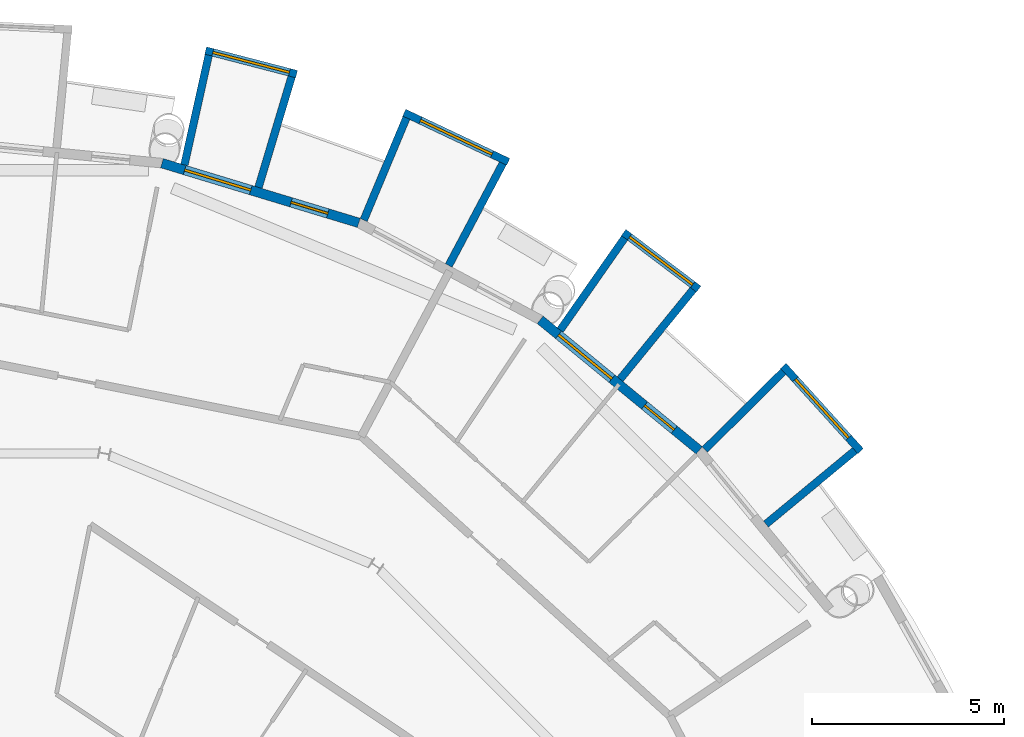
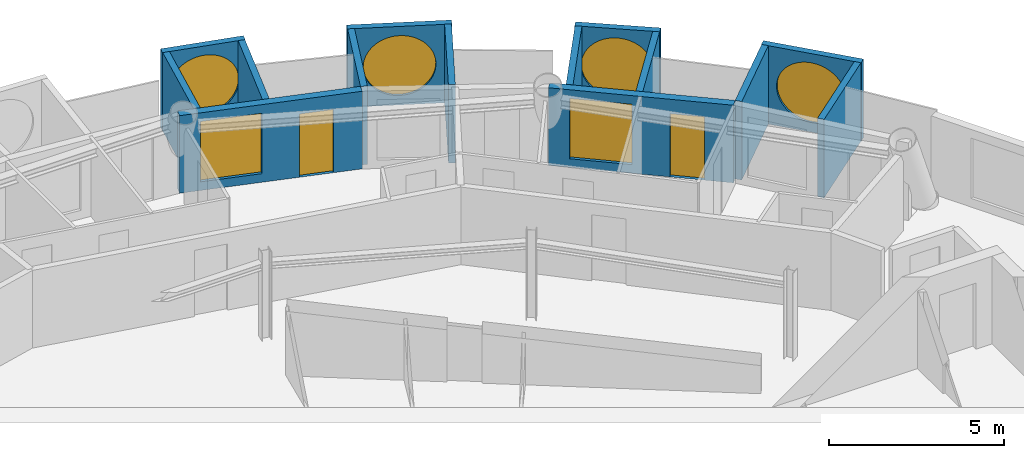
# One storey, part 24 of 28: 14 walls, 6 windows, 2 doors, 8 openings.
"""IFC4 building model written with IfcOpenShell, lengths in metres."""

from ifc_helpers import new_model, si_unit, direction, frame, frame_2d, origin, place, context, subcontext, project, spatial, rectangle, circle, extrude, material, layer, layer_set, type_object, element, fill, save


model = new_model("IFC4")

# Units and contexts
model_context = context("Model", 3, precision=1e-05, world=origin(), true_north=direction((0.0, 1.0)))
body_context = subcontext(model_context, "Body", "Model", "MODEL_VIEW")
ifc_project = project(units=[si_unit("LENGTHUNIT", "METRE"), si_unit("AREAUNIT", "SQUARE_METRE"), si_unit("VOLUMEUNIT", "CUBIC_METRE"), si_unit("PLANEANGLEUNIT", "RADIAN"), si_unit("MASSUNIT", "GRAM", prefix="KILO")], contexts=[model_context])

# Site, building, storey
site_placement = place(None, origin())
site = spatial("IfcSite", under=ifc_project, at=site_placement, CompositionType="ELEMENT")
building_placement = place(site_placement, origin())
building = spatial("IfcBuilding", under=site, at=building_placement, Name="Maasbend Ring Residences", CompositionType="ELEMENT")
storey_placement = place(building_placement, frame((0.0, 0.0, 231.0)))
storey = spatial("IfcBuildingStorey", under=building, at=storey_placement, Name="L66", CompositionType="ELEMENT", Elevation=231.0)

# Wall, opening, window
ifc_material_1 = material(Name="Pale anodised aluminium panel", Category="aluminium")
ifc_layer_1 = layer(ifc_material_1, 0.199951171875)
ifc_layer_set_1 = layer_set([ifc_layer_1], Name="EW-BOX")
wall_type_1 = type_object("IfcWallType", Name="EW-BOX", PredefinedType="SOLIDWALL", material=ifc_layer_set_1)
wall_1_placement = place(storey_placement, frame((23.5029296875, 19.281982421875, -0.030029296875), z_axis=(0.0, 0.0, 1.0), x_axis=(-0.671506829416, 0.740998365753, 0.0)))
wall_1 = element("IfcWall", 1, at=wall_1_placement, inside=storey, type_object=wall_type_1, Name="Box front N02", PredefinedType="SOLIDWALL", context=body_context, shape_type="SweptSolid", body=[
    extrude(rectangle(XDim=2.9931640625, YDim=0.199951171875, at=frame_2d((1.49658203125, 0.0))), origin(), (0.0, 0.0, 1.0), 2.72998046875),
])
opening_1_placement = place(wall_1_placement, frame((0.45654296875, 0.0, 0.330078125)))
opening_1 = element("IfcOpeningElement", 2, at=opening_1_placement, cuts=wall_1, Name="Opening W-RD", PredefinedType="OPENING", context=body_context, shape_type="SweptSolid", body=[
    extrude(circle(Radius=1.0400390625, at=frame_2d((1.0400390625, 1.0400390625))), frame((0.0, 0.10986328125, 0.0), z_axis=(0.0, -1.0, 0.0), x_axis=(1.0, 0.0, 0.0)), (0.0, 0.0, 1.0), 0.219970703125),
])
ifc_material_2 = material(Name="Aluminium and clear glass", Category="aluminium")
window_type_1 = type_object("IfcWindowType", Name="W-RD", PartitioningType="SINGLE_PANEL", PredefinedType="WINDOW", material=ifc_material_2)
window_1_placement = place(opening_1_placement, origin())
window_1 = element("IfcWindow", 3, at=window_1_placement, inside=storey, type_object=window_type_1, Name="Round window N02", OverallHeight=2.080078125, OverallWidth=2.080078125, PartitioningType="SINGLE_PANEL", PredefinedType="WINDOW", context=body_context, shape_type="SweptSolid", body=[
    extrude(circle(Radius=1.0400390625, at=frame_2d((1.0400390625, 1.0400390625))), frame((0.0, 0.030029296875, 0.0), z_axis=(0.0, -1.0, 0.0), x_axis=(1.0, 0.0, 0.0)), (0.0, 0.0, 1.0), 0.06005859375),
])
fill(opening_1, window_1)

# Walls
wall_2_placement = place(storey_placement, frame((21.041015625, 17.384033203125, -0.030029296875), z_axis=(0.0, 0.0, 1.0), x_axis=(0.770784861449, 0.63709551667, 0.0)))
element("IfcWall", 4, at=wall_2_placement, inside=storey, type_object=wall_type_1, Name="Box side wall N02 left", PredefinedType="SOLIDWALL", context=body_context, shape_type="SweptSolid", body=[
    extrude(rectangle(XDim=3.005859375, YDim=0.199951171875, at=frame_2d((1.5029296875, 0.0))), origin(), (0.0, 0.0, 1.0), 2.72998046875),
])
wall_3_placement = place(storey_placement, frame((19.449951171875, 19.322998046875, -0.030029296875), z_axis=(0.0, 0.0, 1.0), x_axis=(0.709727076896, 0.704476739375, 0.0)))
element("IfcWall", 5, at=wall_3_placement, inside=storey, type_object=wall_type_1, Name="Box side wall N02 right", PredefinedType="SOLIDWALL", context=body_context, shape_type="SweptSolid", body=[
    extrude(rectangle(XDim=2.883056640625, YDim=0.199951171875, at=frame_2d((1.44140625, 0.0))), origin(), (0.0, 0.0, 1.0), 2.72998046875),
])

# Wall, opening, window
wall_4_placement = place(storey_placement, frame((19.2890625, 23.4970703125, -0.030029296875), z_axis=(0.0, 0.0, 1.0), x_axis=(-0.797887588059, 0.602806268067, 0.0)))
wall_4 = element("IfcWall", 6, at=wall_4_placement, inside=storey, type_object=wall_type_1, Name="Box front N04", PredefinedType="SOLIDWALL", context=body_context, shape_type="SweptSolid", body=[
    extrude(rectangle(XDim=2.446533203125, YDim=0.199951171875, at=frame_2d((1.22314453125, 0.0))), origin(), (0.0, 0.0, 1.0), 2.72998046875),
])
opening_2_placement = place(wall_4_placement, frame((0.182861328125, 0.0, 0.330078125)))
opening_2 = element("IfcOpeningElement", 7, at=opening_2_placement, cuts=wall_4, Name="Opening W-RD", PredefinedType="OPENING", context=body_context, shape_type="SweptSolid", body=[
    extrude(circle(Radius=1.0400390625, at=frame_2d((1.0400390625, 1.0400390625))), frame((0.0, 0.10986328125, 0.0), z_axis=(0.0, -1.0, 0.0), x_axis=(1.0, 0.0, 0.0)), (0.0, 0.0, 1.0), 0.219970703125),
])
window_2_placement = place(opening_2_placement, origin())
window_2 = element("IfcWindow", 8, at=window_2_placement, inside=storey, type_object=window_type_1, Name="Round window N04", OverallHeight=2.080078125, OverallWidth=2.080078125, PartitioningType="SINGLE_PANEL", PredefinedType="WINDOW", context=body_context, shape_type="SweptSolid", body=[
    extrude(circle(Radius=1.0400390625, at=frame_2d((1.0400390625, 1.0400390625))), frame((0.0, 0.030029296875, 0.0), z_axis=(0.0, -1.0, 0.0), x_axis=(1.0, 0.0, 0.0)), (0.0, 0.0, 1.0), 0.06005859375),
])
fill(opening_2, window_2)

# Walls
wall_5_placement = place(storey_placement, frame((17.24609375, 21.155029296875, -0.030029296875), z_axis=(0.0, 0.0, 1.0), x_axis=(0.631741648902, 0.775179004516, 0.0)))
element("IfcWall", 9, at=wall_5_placement, inside=storey, type_object=wall_type_1, Name="Box side wall N04 left", PredefinedType="SOLIDWALL", context=body_context, shape_type="SweptSolid", body=[
    extrude(rectangle(XDim=3.005859375, YDim=0.199951171875, at=frame_2d((1.5029296875, 0.0))), origin(), (0.0, 0.0, 1.0), 2.72998046875),
])
wall_6_placement = place(storey_placement, frame((15.68798828125, 22.43310546875, -0.030029296875), z_axis=(0.0, 0.0, 1.0), x_axis=(0.573260687834, 0.819373043115, 0.0)))
element("IfcWall", 10, at=wall_6_placement, inside=storey, type_object=wall_type_1, Name="Box side wall N04 right", PredefinedType="SOLIDWALL", context=body_context, shape_type="SweptSolid", body=[
    extrude(rectangle(XDim=2.92529296875, YDim=0.199951171875, at=frame_2d((1.462646484375, 0.0))), origin(), (0.0, 0.0, 1.0), 2.72998046875),
])

# Wall, opening, window
wall_7_placement = place(storey_placement, frame((14.3349609375, 26.80810546875, -0.030029296875), z_axis=(0.0, 0.0, 1.0), x_axis=(-0.904000060331, 0.427532327342, 0.0)))
wall_7 = element("IfcWall", 11, at=wall_7_placement, inside=storey, type_object=wall_type_1, Name="Box front N06", PredefinedType="SOLIDWALL", context=body_context, shape_type="SweptSolid", body=[
    extrude(rectangle(XDim=2.993408203125, YDim=0.199951171875, at=frame_2d((1.49658203125, 0.0))), origin(), (0.0, 0.0, 1.0), 2.72998046875),
])
opening_3_placement = place(wall_7_placement, frame((0.45654296875, 0.0, 0.330078125)))
opening_3 = element("IfcOpeningElement", 12, at=opening_3_placement, cuts=wall_7, Name="Opening W-RD", PredefinedType="OPENING", context=body_context, shape_type="SweptSolid", body=[
    extrude(circle(Radius=1.0400390625, at=frame_2d((1.0400390625, 1.0400390625))), frame((0.0, 0.10986328125, 0.0), z_axis=(0.0, -1.0, 0.0), x_axis=(1.0, 0.0, 0.0)), (0.0, 0.0, 1.0), 0.219970703125),
])
window_3_placement = place(opening_3_placement, origin())
window_3 = element("IfcWindow", 13, at=window_3_placement, inside=storey, type_object=window_type_1, Name="Round window N06", OverallHeight=2.080078125, OverallWidth=2.080078125, PartitioningType="SINGLE_PANEL", PredefinedType="WINDOW", context=body_context, shape_type="SweptSolid", body=[
    extrude(circle(Radius=1.0400390625, at=frame_2d((1.0400390625, 1.0400390625))), frame((0.0, 0.030029296875, 0.0), z_axis=(0.0, -1.0, 0.0), x_axis=(1.0, 0.0, 0.0)), (0.0, 0.0, 1.0), 0.06005859375),
])
fill(opening_3, window_3)

# Walls
wall_8_placement = place(storey_placement, frame((12.787109375, 24.113037109375, -0.030029296875), z_axis=(0.0, 0.0, 1.0), x_axis=(0.468365282436, 0.883534924159, 0.0)))
element("IfcWall", 14, at=wall_8_placement, inside=storey, type_object=wall_type_1, Name="Box side wall N06 left", PredefinedType="SOLIDWALL", context=body_context, shape_type="SweptSolid", body=[
    extrude(rectangle(XDim=3.006103515625, YDim=0.199951171875, at=frame_2d((1.5029296875, 0.0))), origin(), (0.0, 0.0, 1.0), 2.72998046875),
])
wall_9_placement = place(storey_placement, frame((10.574951171875, 25.294921875, -0.030029296875), z_axis=(0.0, 0.0, 1.0), x_axis=(0.385697364644, 0.922625353492, 0.0)))
element("IfcWall", 15, at=wall_9_placement, inside=storey, type_object=wall_type_1, Name="Box side wall N06 right", PredefinedType="SOLIDWALL", context=body_context, shape_type="SweptSolid", body=[
    extrude(rectangle(XDim=2.88330078125, YDim=0.199951171875, at=frame_2d((1.441650390625, 0.0))), origin(), (0.0, 0.0, 1.0), 2.72998046875),
])

# Wall, opening, window
wall_10_placement = place(storey_placement, frame((8.8291015625, 29.090087890625, -0.030029296875), z_axis=(0.0, 0.0, 1.0), x_axis=(-0.96789536872, 0.251353446784, 0.0)))
wall_10 = element("IfcWall", 16, at=wall_10_placement, inside=storey, type_object=wall_type_1, Name="Box front N08", PredefinedType="SOLIDWALL", context=body_context, shape_type="SweptSolid", body=[
    extrude(rectangle(XDim=2.44677734375, YDim=0.199951171875, at=frame_2d((1.223388671875, 0.0))), origin(), (0.0, 0.0, 1.0), 2.72998046875),
])
opening_4_placement = place(wall_10_placement, frame((0.182861328125, 0.0, 0.330078125)))
opening_4 = element("IfcOpeningElement", 17, at=opening_4_placement, cuts=wall_10, Name="Opening W-RD", PredefinedType="OPENING", context=body_context, shape_type="SweptSolid", body=[
    extrude(circle(Radius=1.0400390625, at=frame_2d((1.0400390625, 1.0400390625))), frame((0.0, 0.10986328125, 0.0), z_axis=(0.0, -1.0, 0.0), x_axis=(1.0, 0.0, 0.0)), (0.0, 0.0, 1.0), 0.219970703125),
])
window_4_placement = place(opening_4_placement, origin())
window_4 = element("IfcWindow", 18, at=window_4_placement, inside=storey, type_object=window_type_1, Name="Round window N08", OverallHeight=2.080078125, OverallWidth=2.080078125, PartitioningType="SINGLE_PANEL", PredefinedType="WINDOW", context=body_context, shape_type="SweptSolid", body=[
    extrude(circle(Radius=1.0400390625, at=frame_2d((1.0400390625, 1.0400390625))), frame((0.0, 0.030029296875, 0.0), z_axis=(0.0, -1.0, 0.0), x_axis=(1.0, 0.0, 0.0)), (0.0, 0.0, 1.0), 0.06005859375),
])
fill(opening_4, window_4)

# Walls
wall_11_placement = place(storey_placement, frame((7.8369140625, 26.14404296875, -0.030029296875), z_axis=(0.0, 0.0, 1.0), x_axis=(0.287064767992, 0.957911174889, 0.0)))
element("IfcWall", 19, at=wall_11_placement, inside=storey, type_object=wall_type_1, Name="Box side wall N08 left", PredefinedType="SOLIDWALL", context=body_context, shape_type="SweptSolid", body=[
    extrude(rectangle(XDim=3.00634765625, YDim=0.199951171875, at=frame_2d((1.503173828125, 0.0))), origin(), (0.0, 0.0, 1.0), 2.72998046875),
])
wall_12_placement = place(storey_placement, frame((5.908935546875, 26.72900390625, -0.030029296875), z_axis=(0.0, 0.0, 1.0), x_axis=(0.216409053917, 0.976302781612, 0.0)))
element("IfcWall", 20, at=wall_12_placement, inside=storey, type_object=wall_type_1, Name="Box side wall N08 right", PredefinedType="SOLIDWALL", context=body_context, shape_type="SweptSolid", body=[
    extrude(rectangle(XDim=2.92529296875, YDim=0.199951171875, at=frame_2d((1.462646484375, 0.0))), origin(), (0.0, 0.0, 1.0), 2.72998046875),
])

# Wall, openings, door, window
ifc_material_3 = material(Name="Aluminium clad insulated panel", Category="aluminium")
ifc_layer_2 = layer(ifc_material_3, 0.25)
ifc_layer_set_2 = layer_set([ifc_layer_2], Name="EW-GL")
wall_type_2 = type_object("IfcWallType", Name="EW-GL", PredefinedType="SOLIDWALL", material=ifc_layer_set_2)
wall_13_placement = place(storey_placement, frame((19.303955078125, 19.303955078125, 0.0), z_axis=(0.0, 0.0, 1.0), x_axis=(-0.773019449054, 0.634382322723, 0.0)))
wall_13 = element("IfcWall", 21, at=wall_13_placement, inside=storey, type_object=wall_type_2, Name="External wall N02", PredefinedType="SOLIDWALL", context=body_context, shape_type="SweptSolid", body=[
    extrude(rectangle(XDim=5.351806640625, YDim=0.25, at=frame_2d((2.67578125, 0.0))), origin(), (0.0, 0.0, 1.0), 2.699951171875),
])
opening_5_placement = place(wall_13_placement, frame((0.841064453125, 0.0, 0.0)))
opening_5 = element("IfcOpeningElement", 22, at=opening_5_placement, cuts=wall_13, Name="Opening D-LG", PredefinedType="OPENING", context=body_context, shape_type="SweptSolid", body=[
    extrude(rectangle(XDim=1.0, YDim=2.199951171875, at=frame_2d((0.5, 1.10009765625))), frame((0.0, 0.135009765625, 0.0), z_axis=(0.0, -1.0, 0.0), x_axis=(1.0, 0.0, 0.0)), (0.0, 0.0, 1.0), 0.27001953125),
])
opening_6_placement = place(wall_13_placement, frame((2.935791015625, 0.0, 0.300048828125)))
opening_6 = element("IfcOpeningElement", 23, at=opening_6_placement, cuts=wall_13, Name="Opening W-BX", PredefinedType="OPENING", context=body_context, shape_type="SweptSolid", body=[
    extrude(rectangle(XDim=1.800048828125, YDim=2.10009765625, at=frame_2d((0.89990234375, 1.050048828125))), frame((0.0, 0.135009765625, 0.0), z_axis=(0.0, -1.0, 0.0), x_axis=(1.0, 0.0, 0.0)), (0.0, 0.0, 1.0), 0.27001953125),
])
ifc_material_4 = material(Name="Aluminium and clear glass", Category="aluminium")
door_type = type_object("IfcDoorType", Name="D-LG", OperationType="SINGLE_SWING_LEFT", PredefinedType="DOOR", material=ifc_material_4)
door_1_placement = place(opening_5_placement, origin())
door_1 = element("IfcDoor", 24, at=door_1_placement, inside=storey, type_object=door_type, Name="Loggia door N03", OperationType="SINGLE_SWING_LEFT", OverallHeight=2.199951171875, OverallWidth=1.0, PredefinedType="DOOR", context=body_context, shape_type="SweptSolid", body=[
    extrude(rectangle(XDim=1.0, YDim=2.199951171875, at=frame_2d((0.5, 1.10009765625))), frame((0.0, 0.02490234375, 0.0), z_axis=(0.0, -1.0, 0.0), x_axis=(1.0, 0.0, 0.0)), (0.0, 0.0, 1.0), 0.050048828125),
])
fill(opening_5, door_1)
ifc_material_5 = material(Name="Aluminium and clear glass", Category="aluminium")
window_type_2 = type_object("IfcWindowType", Name="W-BX", PartitioningType="DOUBLE_PANEL_VERTICAL", PredefinedType="WINDOW", material=ifc_material_5)
window_5_placement = place(opening_6_placement, origin())
window_5 = element("IfcWindow", 25, at=window_5_placement, inside=storey, type_object=window_type_2, Name="Window N04 room to box", OverallHeight=2.10009765625, OverallWidth=1.800048828125, PartitioningType="SINGLE_PANEL", PredefinedType="WINDOW", context=body_context, shape_type="SweptSolid", body=[
    extrude(rectangle(XDim=1.800048828125, YDim=2.10009765625, at=frame_2d((0.89990234375, 1.050048828125))), frame((0.0, 0.030029296875, 0.0), z_axis=(0.0, -1.0, 0.0), x_axis=(1.0, 0.0, 0.0)), (0.0, 0.0, 1.0), 0.06005859375),
])
fill(opening_6, window_5)

wall_14_placement = place(storey_placement, frame((10.447021484375, 25.221923828125, 0.0), z_axis=(0.0, 0.0, 1.0), x_axis=(-0.956965678721, 0.290201119486, 0.0)))
wall_14 = element("IfcWall", 26, at=wall_14_placement, inside=storey, type_object=wall_type_2, Name="External wall N04", PredefinedType="SOLIDWALL", context=body_context, shape_type="SweptSolid", body=[
    extrude(rectangle(XDim=5.351318359375, YDim=0.25, at=frame_2d((2.67578125, 0.0))), origin(), (0.0, 0.0, 1.0), 2.699951171875),
])
opening_7_placement = place(wall_14_placement, frame((0.841064453125, 0.0, 0.0)))
opening_7 = element("IfcOpeningElement", 27, at=opening_7_placement, cuts=wall_14, Name="Opening D-LG", PredefinedType="OPENING", context=body_context, shape_type="SweptSolid", body=[
    extrude(rectangle(XDim=1.0, YDim=2.199951171875, at=frame_2d((0.5, 1.10009765625))), frame((0.0, 0.135009765625, 0.0), z_axis=(0.0, -1.0, 0.0), x_axis=(1.0, 0.0, 0.0)), (0.0, 0.0, 1.0), 0.27001953125),
])
opening_8_placement = place(wall_14_placement, frame((2.935791015625, 0.0, 0.300048828125)))
opening_8 = element("IfcOpeningElement", 28, at=opening_8_placement, cuts=wall_14, Name="Opening W-BX", PredefinedType="OPENING", context=body_context, shape_type="SweptSolid", body=[
    extrude(rectangle(XDim=1.800048828125, YDim=2.10009765625, at=frame_2d((0.89990234375, 1.050048828125))), frame((0.0, 0.135009765625, 0.0), z_axis=(0.0, -1.0, 0.0), x_axis=(1.0, 0.0, 0.0)), (0.0, 0.0, 1.0), 0.27001953125),
])
door_2_placement = place(opening_7_placement, origin())
door_2 = element("IfcDoor", 29, at=door_2_placement, inside=storey, type_object=door_type, Name="Loggia door N07", OperationType="SINGLE_SWING_LEFT", OverallHeight=2.199951171875, OverallWidth=1.0, PredefinedType="DOOR", context=body_context, shape_type="SweptSolid", body=[
    extrude(rectangle(XDim=1.0, YDim=2.199951171875, at=frame_2d((0.5, 1.10009765625))), frame((0.0, 0.02490234375, 0.0), z_axis=(0.0, -1.0, 0.0), x_axis=(1.0, 0.0, 0.0)), (0.0, 0.0, 1.0), 0.050048828125),
])
fill(opening_7, door_2)
window_6_placement = place(opening_8_placement, origin())
window_6 = element("IfcWindow", 30, at=window_6_placement, inside=storey, type_object=window_type_2, Name="Window N08 room to box", OverallHeight=2.10009765625, OverallWidth=1.800048828125, PartitioningType="SINGLE_PANEL", PredefinedType="WINDOW", context=body_context, shape_type="SweptSolid", body=[
    extrude(rectangle(XDim=1.800048828125, YDim=2.10009765625, at=frame_2d((0.89990234375, 1.050048828125))), frame((0.0, 0.030029296875, 0.0), z_axis=(0.0, -1.0, 0.0), x_axis=(1.0, 0.0, 0.0)), (0.0, 0.0, 1.0), 0.06005859375),
])
fill(opening_8, window_6)

save(model, "model.ifc")
